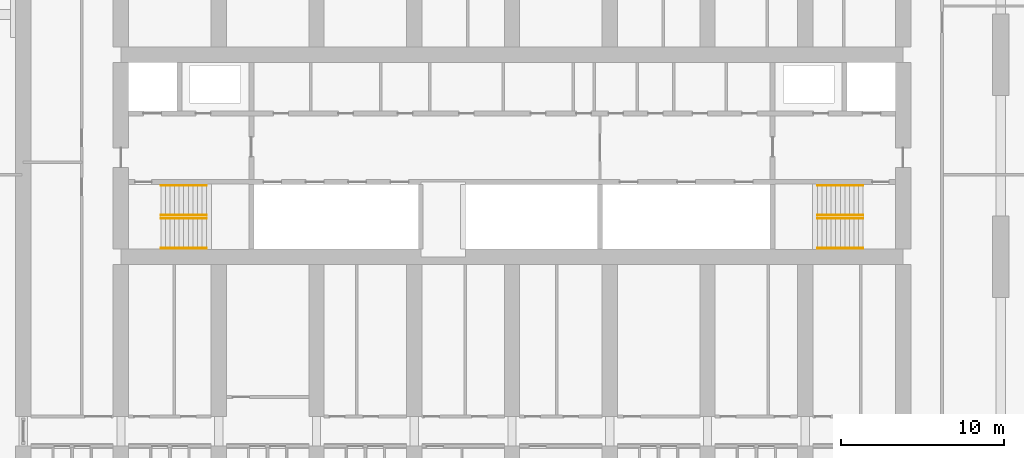
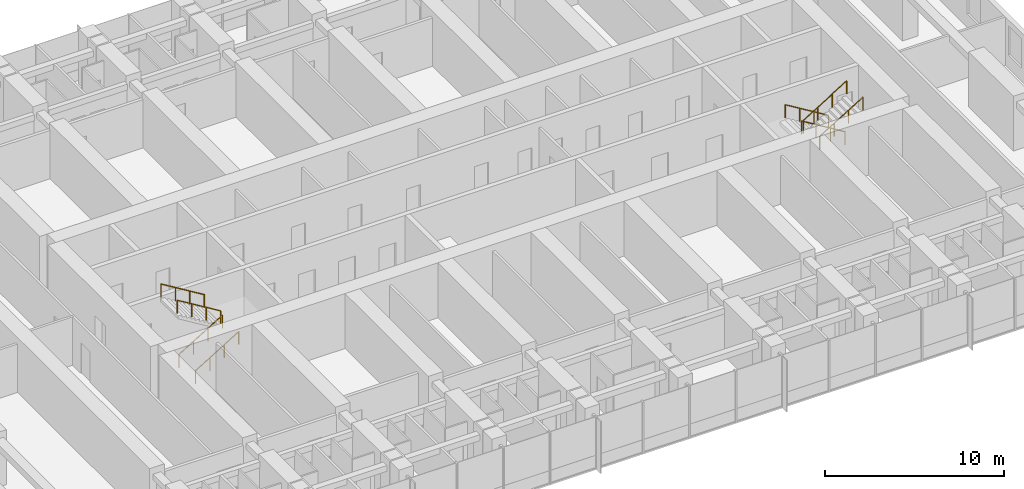
# One storey, part 22 of 22: 8 railings.
"""IFC4 building model written with IfcOpenShell, lengths in metres."""

import ifcopenshell
import ifcopenshell.guid

model = None  # the IFC model being written
_history = None  # IfcOwnerHistory: only IFC2X3 demands one
_inside = {}  # id of a spatial element -> (the spatial element, [elements in it])
_under = {}  # id of a project, library or spatial element -> (it, [spatial elements below it])
_declared = {}  # id of a project -> (the project, [libraries it declares])
_typed = {}  # id of a type object -> (the type object, [elements of that type])
_made_of = {}  # id of a material, layer set ... -> (it, [elements and type objects made of it])


def new_model(schema):
    """Start an empty IFC model of exactly this schema.

    Asked for "IFC4X3", IfcOpenShell would pick the latest addendum, in which some entities
    have other attributes; the version numbers below select the first issue.
    IFC2X3 requires an IfcOwnerHistory on every rooted entity: one is made here for all.
    """
    global model, _history
    if schema == "IFC4X3":
        model = ifcopenshell.file(schema_version=(4, 3, 0, 0))
    else:
        model = ifcopenshell.file(schema=schema)
    _inside.clear()
    _under.clear()
    _declared.clear()
    _typed.clear()
    _made_of.clear()
    _history = None
    if model.schema == "IFC2X3":
        org = make("IfcOrganization", Name="unknown")
        user = make(
            "IfcPersonAndOrganization",
            ThePerson=make("IfcPerson", FamilyName="unknown"),
            TheOrganization=org,
        )
        app = make(
            "IfcApplication",
            ApplicationDeveloper=org,
            Version="unknown",
            ApplicationFullName="unknown",
            ApplicationIdentifier="unknown",
        )
        _history = make(
            "IfcOwnerHistory",
            OwningUser=user,
            OwningApplication=app,
            ChangeAction="ADDED",
            CreationDate=0,
        )
    return model


def make(cls, **values):
    """One entity of the class cls with the attributes given. An attribute that is None is left unset."""
    return model.create_entity(
        cls, **{name: value for name, value in values.items() if value is not None}
    )


def rooted(cls, **values):
    """An entity with a GlobalId (a new one), such as an element, a storey or a relation."""
    return make(cls, GlobalId=ifcopenshell.guid.new(), OwnerHistory=_history, **values)


def si_unit(unit_type, name, prefix=None):
    """IfcSIUnit, for example si_unit("LENGTHUNIT", "METRE", prefix="MILLI")."""
    return make("IfcSIUnit", UnitType=unit_type, Prefix=prefix, Name=name)


def assignment(units):
    """IfcUnitAssignment: the units of a project."""
    return None if units is None else make("IfcUnitAssignment", Units=units)


def point(xyz):
    """IfcCartesianPoint."""
    return None if xyz is None else make("IfcCartesianPoint", Coordinates=xyz)


def direction(xyz):
    """IfcDirection."""
    return None if xyz is None else make("IfcDirection", DirectionRatios=xyz)


def frame(location, z_axis=None, x_axis=None):
    """IfcAxis2Placement3D, a coordinate frame: its origin and axes. An axis left out is left unset."""
    return make(
        "IfcAxis2Placement3D",
        Location=point(location),
        Axis=direction(z_axis),
        RefDirection=direction(x_axis),
    )


def frame_2d(location, x_axis=None):
    """IfcAxis2Placement2D, a coordinate frame in the plane: its origin and x axis."""
    return make(
        "IfcAxis2Placement2D", Location=point(location), RefDirection=direction(x_axis)
    )


def origin():
    """The frame at (0, 0, 0) with its axes left unset."""
    return frame((0.0, 0.0, 0.0))


def origin_2d():
    """The frame at (0, 0) in the plane with its x axis left unset."""
    return frame_2d((0.0, 0.0))


def place(relative_to, where):
    """IfcLocalPlacement: puts the frame where relative to a parent placement (None: the world)."""
    return make(
        "IfcLocalPlacement", PlacementRelTo=relative_to, RelativePlacement=where
    )


def context(
    kind, dimensions, precision=None, world=None, true_north=None, identifier=None
):
    """IfcGeometricRepresentationContext, for example the 3D "Model" context."""
    return make(
        "IfcGeometricRepresentationContext",
        ContextIdentifier=identifier,
        ContextType=kind,
        CoordinateSpaceDimension=dimensions,
        Precision=precision,
        WorldCoordinateSystem=world,
        TrueNorth=true_north,
    )


def subcontext(parent, identifier, kind, view, scale=None):
    """IfcGeometricRepresentationSubContext, for example "Body" below "Model"."""
    return make(
        "IfcGeometricRepresentationSubContext",
        ContextIdentifier=identifier,
        ContextType=kind,
        ParentContext=parent,
        TargetScale=scale,
        TargetView=view,
    )


def project(units=None, contexts=None):
    """IfcProject with its units and contexts."""
    return rooted(
        "IfcProject",
        Name="project",
        RepresentationContexts=contexts,
        UnitsInContext=assignment(units),
    )


def spatial(cls, under=None, at=None, **own):
    """A site, building, storey or space (cls), placed at a placement, below another one or the project."""
    s = rooted(cls, ObjectPlacement=at, **own)
    if under is not None:
        _under.setdefault(under.id(), (under, []))[1].append(s)
    return s


def profile(cls, at=None, kind="AREA", **sizes):
    """A parametric profile (cls). Its sizes go by their IFC names, for example OverallWidth=200.0."""
    return make(cls, ProfileType=kind, Position=at, **sizes)


def circle(**sizes):
    """IfcCircleProfileDef."""
    return profile("IfcCircleProfileDef", **sizes)


def extrude(swept, where, along, depth):
    """IfcExtrudedAreaSolid: the profile swept, set in the frame where, extruded along a direction by depth."""
    return make(
        "IfcExtrudedAreaSolid",
        SweptArea=swept,
        Position=where,
        ExtrudedDirection=direction(along),
        Depth=depth,
    )


def shape(context_of_items, identifier, shape_type, items):
    """IfcShapeRepresentation: the items that make up one representation, for example the "Body"."""
    return make(
        "IfcShapeRepresentation",
        ContextOfItems=context_of_items,
        RepresentationIdentifier=identifier,
        RepresentationType=shape_type,
        Items=items,
    )


def material(Name=None, Category=None):
    """IfcMaterial."""
    return make("IfcMaterial", Name=Name, Category=Category)


def made_of(thing, what):
    """Note that an element or type object is made of a material, layer set ...; save() writes the relation."""
    if what is not None:
        _made_of.setdefault(what.id(), (what, []))[1].append(thing)
    return thing


def type_object(cls, material=None, **own):
    """A type object (cls), such as IfcWallType, which elements share."""
    return made_of(rooted(cls, **own), material)


def element(
    cls,
    number,
    at=None,
    inside=None,
    cuts=None,
    type_object=None,
    material=None,
    context=None,
    identifier="Body",
    shape_type=None,
    held_by="IfcProductDefinitionShape",
    body=None,
    shapes=None,
    **own,
):
    """One element of the class cls, such as IfcWall. Its Tag is "e" and its number.

    at: its placement. inside: the storey or other place that contains it. cuts: it is an
    opening in that element (IfcRelVoidsElement). A single representation is given by context,
    identifier, shape_type and body (its items); several are given by shapes. held_by: the class
    of the entity that holds the representations. save() writes the other relations.
    """
    e = rooted(cls, Tag="e%d" % number, ObjectPlacement=at, **own)
    if body is not None:
        shapes = [shape(context, identifier, shape_type, body)]
    if shapes is not None:
        e.Representation = make(held_by, Representations=shapes)
    if inside is not None:
        _inside.setdefault(inside.id(), (inside, []))[1].append(e)
    if cuts is not None:
        rooted(
            "IfcRelVoidsElement", RelatingBuildingElement=cuts, RelatedOpeningElement=e
        )
    if type_object is not None:
        _typed.setdefault(type_object.id(), (type_object, []))[1].append(e)
    return made_of(e, material)


def aggregate(whole, parts):
    """IfcRelAggregates: a whole, such as a stair, and the parts it consists of."""
    return rooted("IfcRelAggregates", RelatingObject=whole, RelatedObjects=parts)


def save(model, path):
    """Write the relations noted so far, then the file.

    IfcRelAggregates (storeys below a building ...), IfcRelContainedInSpatialStructure (elements
    in a storey), IfcRelDefinesByType, IfcRelAssociatesMaterial and IfcRelDeclares: one each for
    every whole, place, type object, material and project.
    """
    for whole, parts in _under.values():
        aggregate(whole, parts)
    for where, things in _inside.values():
        rooted(
            "IfcRelContainedInSpatialStructure",
            RelatedElements=things,
            RelatingStructure=where,
        )
    for kind, things in _typed.values():
        rooted("IfcRelDefinesByType", RelatedObjects=things, RelatingType=kind)
    for what, things in _made_of.values():
        rooted("IfcRelAssociatesMaterial", RelatedObjects=things, RelatingMaterial=what)
    for by, libraries in _declared.values():
        rooted("IfcRelDeclares", RelatingContext=by, RelatedDefinitions=libraries)
    model.write(path)


model = new_model("IFC4")

# Units and contexts
model_context = context("Model", 3, precision=1e-05, world=origin(), true_north=direction((0.0, 1.0)))
body_context = subcontext(model_context, "Body", "Model", "MODEL_VIEW")
ifc_project = project(units=[si_unit("LENGTHUNIT", "METRE"), si_unit("AREAUNIT", "SQUARE_METRE"), si_unit("VOLUMEUNIT", "CUBIC_METRE"), si_unit("PLANEANGLEUNIT", "RADIAN"), si_unit("MASSUNIT", "GRAM", prefix="KILO")], contexts=[model_context])

# Site, building, storey
site_placement = place(None, origin())
site = spatial("IfcSite", under=ifc_project, at=site_placement, CompositionType="ELEMENT")
building_placement = place(site_placement, origin())
building = spatial("IfcBuilding", under=site, at=building_placement, Name="Orbita Commons", CompositionType="ELEMENT")
storey_placement = place(building_placement, frame((0.0, 0.0, 80.64990234375)))
storey = spatial("IfcBuildingStorey", under=building, at=storey_placement, Name="L19", CompositionType="ELEMENT", Elevation=80.64990234375)

# Railings
ifc_material = material(Name="Steel tube, painted", Category="steel")
railing_type = type_object("IfcRailingType", Name="Stair handrail steel tube 900", PredefinedType="HANDRAIL", material=ifc_material)
for number, where, name in (
    (1, (20.449951171875, 28.1650390625, 0.170654296875), "Stair S1 handrail L19 flight 1"),
    (2, (20.449951171875, 26.3349609375, 0.170654296875), "Stair S1 handrail L19 flight 1"),
):
    element("IfcRailing", number, at=place(storey_placement, frame(where)), inside=storey, type_object=railing_type, Name=name, PredefinedType="HANDRAIL", context=body_context, shape_type="SweptSolid", body=[
        extrude(circle(Radius=0.02099609375, at=origin_2d()), frame((0.0, 0.0, 0.87890625), z_axis=(0.854202870247, 0.0, 0.519939858505), x_axis=(0.0, 1.0, 0.0)), (0.0, 0.0, 1.0), 3.278076171875),
        extrude(circle(Radius=0.02001953125, at=origin_2d()), origin(), (0.0, 0.0, 1.0), 0.85791015625),
        extrude(circle(Radius=0.02001953125, at=origin_2d()), frame((0.933349609375, 0.0, 0.568115234375)), (0.0, 0.0, 1.0), 0.85791015625),
        extrude(circle(Radius=0.02001953125, at=origin_2d()), frame((1.86669921875, 0.0, 1.13623046875)), (0.0, 0.0, 1.0), 0.85791015625),
        extrude(circle(Radius=0.02001953125, at=origin_2d()), frame((2.800048828125, 0.0, 1.704345703125)), (0.0, 0.0, 1.0), 0.85791015625),
    ])
for number, where, name in (
    (3, (23.25, 28.360107421875, 2.045654296875), "Stair S1 handrail L19 flight 2"),
    (4, (23.25, 30.18994140625, 2.045654296875), "Stair S1 handrail L19 flight 2"),
    (5, (63.550048828125, 28.360107421875, 0.170654296875), "Stair S2 handrail L19 flight 1"),
    (6, (63.550048828125, 30.18994140625, 0.170654296875), "Stair S2 handrail L19 flight 1"),
):
    element("IfcRailing", number, at=place(storey_placement, frame(where)), inside=storey, type_object=railing_type, Name=name, PredefinedType="HANDRAIL", context=body_context, shape_type="SweptSolid", body=[
        extrude(circle(Radius=0.02099609375, at=origin_2d()), frame((0.0, 0.0, 0.87890625), z_axis=(-0.854202870247, 0.0, 0.519939858505), x_axis=(0.0, -1.0, 0.0)), (0.0, 0.0, 1.0), 3.278076171875),
        extrude(circle(Radius=0.02001953125, at=origin_2d()), origin(), (0.0, 0.0, 1.0), 0.85791015625),
        extrude(circle(Radius=0.02001953125, at=origin_2d()), frame((-0.933349609375, 0.0, 0.568115234375)), (0.0, 0.0, 1.0), 0.85791015625),
        extrude(circle(Radius=0.02001953125, at=origin_2d()), frame((-1.86669921875, 0.0, 1.13623046875)), (0.0, 0.0, 1.0), 0.85791015625),
        extrude(circle(Radius=0.02001953125, at=origin_2d()), frame((-2.800048828125, 0.0, 1.704345703125)), (0.0, 0.0, 1.0), 0.85791015625),
    ])
for number, where, name in (
    (7, (60.75, 28.1650390625, 2.045654296875), "Stair S2 handrail L19 flight 2"),
    (8, (60.75, 26.3349609375, 2.045654296875), "Stair S2 handrail L19 flight 2"),
):
    element("IfcRailing", number, at=place(storey_placement, frame(where)), inside=storey, type_object=railing_type, Name=name, PredefinedType="HANDRAIL", context=body_context, shape_type="SweptSolid", body=[
        extrude(circle(Radius=0.02099609375, at=origin_2d()), frame((0.0, 0.0, 0.87890625), z_axis=(0.854202870247, 0.0, 0.519939858505), x_axis=(0.0, 1.0, 0.0)), (0.0, 0.0, 1.0), 3.278076171875),
        extrude(circle(Radius=0.02001953125, at=origin_2d()), origin(), (0.0, 0.0, 1.0), 0.85791015625),
        extrude(circle(Radius=0.02001953125, at=origin_2d()), frame((0.933349609375, 0.0, 0.568115234375)), (0.0, 0.0, 1.0), 0.85791015625),
        extrude(circle(Radius=0.02001953125, at=origin_2d()), frame((1.86669921875, 0.0, 1.13623046875)), (0.0, 0.0, 1.0), 0.85791015625),
        extrude(circle(Radius=0.02001953125, at=origin_2d()), frame((2.800048828125, 0.0, 1.704345703125)), (0.0, 0.0, 1.0), 0.85791015625),
    ])

save(model, "model.ifc")
